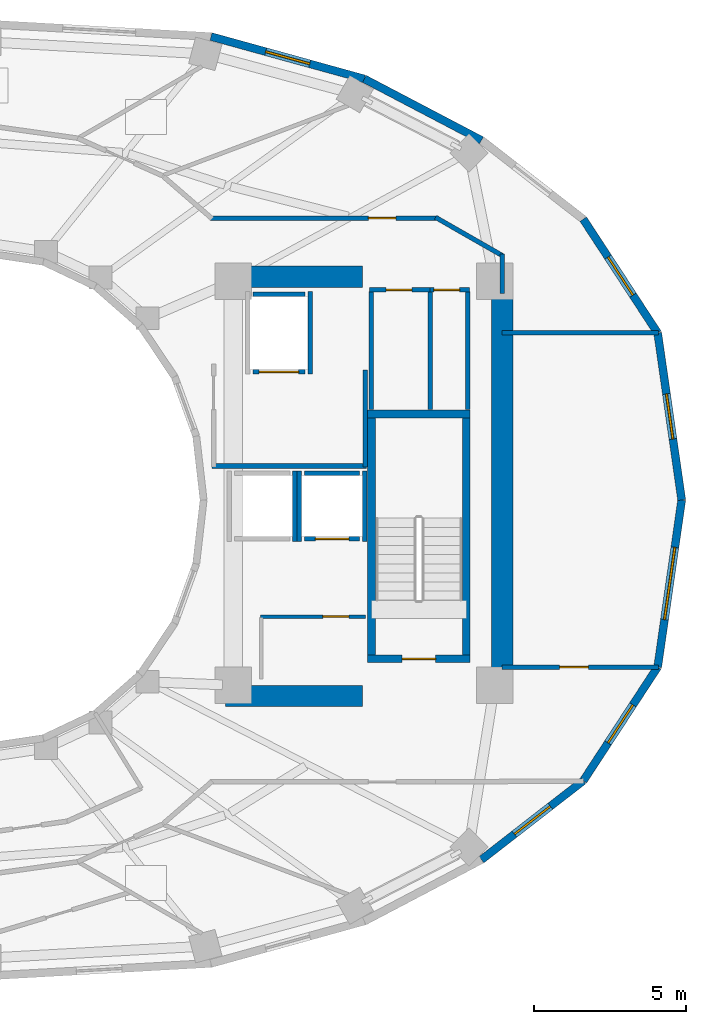
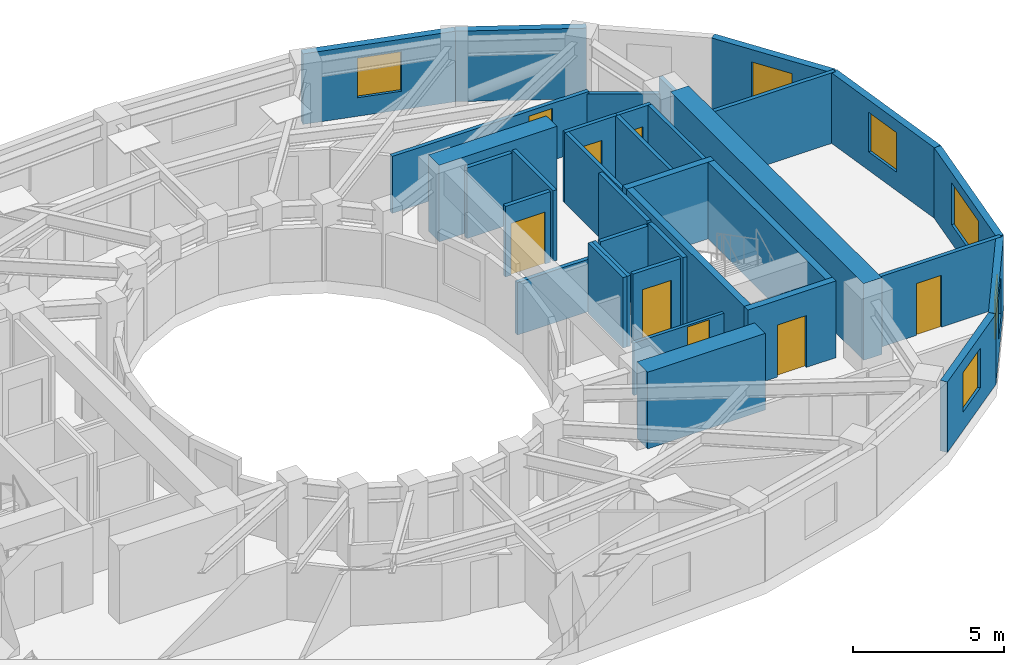
# One storey, part 6 of 9: 35 walls, 8 doors, 6 windows, 14 openings.
"""IFC4 building model written with IfcOpenShell, lengths in metres."""

from ifc_helpers import new_model, si_unit, direction, frame, frame_2d, origin, place, context, subcontext, project, spatial, rectangle, extrude, material, layer, layer_set, type_object, element, fill, save


model = new_model("IFC4")

# Units and contexts
model_context = context("Model", 3, precision=1e-05, world=origin(), true_north=direction((0.0, 1.0)))
body_context = subcontext(model_context, "Body", "Model", "MODEL_VIEW")
ifc_project = project(units=[si_unit("LENGTHUNIT", "METRE"), si_unit("AREAUNIT", "SQUARE_METRE"), si_unit("VOLUMEUNIT", "CUBIC_METRE"), si_unit("PLANEANGLEUNIT", "RADIAN"), si_unit("MASSUNIT", "GRAM", prefix="KILO")], contexts=[model_context])

# Site, building, storey
site_placement = place(None, origin())
site = spatial("IfcSite", under=ifc_project, at=site_placement, CompositionType="ELEMENT")
building_placement = place(site_placement, origin())
building = spatial("IfcBuilding", under=site, at=building_placement, Name="Solvane Sanctuary Tower", CompositionType="ELEMENT")
storey_placement = place(building_placement, frame((0.0, 0.0, 162.199951171875)))
storey = spatial("IfcBuildingStorey", under=building, at=storey_placement, Name="L49", CompositionType="ELEMENT", Elevation=162.199951171875)

# Walls
ifc_material_1 = material(Name="Concrete C60/75", Category="concrete")
ifc_layer_1 = layer(ifc_material_1, 0.699951171875, Name="Concrete C60/75")
ifc_layer_set_1 = layer_set([ifc_layer_1], Name="Concrete C60/75")
wall_type_1 = type_object("IfcWallType", Name="Wall W-CORE-700", PredefinedType="SHEAR", material=ifc_layer_set_1)
wall_1_placement = place(storey_placement, frame((48.949951171875, 17.050048828125, 0.0), z_axis=(0.0, 0.0, 1.0), x_axis=(0.0, 1.0, 0.0)))
element("IfcWall", 1, at=wall_1_placement, inside=storey, type_object=wall_type_1, Name="L49 Core Shear Wall EC-E", PredefinedType="SHEAR", context=body_context, shape_type="SweptSolid", body=[
    extrude(rectangle(XDim=12.800048828125, YDim=0.699951171875, at=frame_2d((6.39990234375, 0.0))), origin(), (0.0, 0.0, 1.0), 3.10009765625),
])
for number, where, z_axis, x_axis, name in (
    (2, (39.85009765625, 16.550048828125, 0.0), (0.0, 0.0, 1.0), (1.0, 0.0, 0.0), "L49 Core Shear Wall EC-S"),
    (3, (39.85009765625, 30.35009765625, 0.0), (0.0, 0.0, 1.0), (1.0, 0.0, 0.0), "L49 Core Shear Wall EC-N"),
):
    element("IfcWall", number, at=place(storey_placement, frame(where, z_axis=z_axis, x_axis=x_axis)), inside=storey, type_object=wall_type_1, Name=name, PredefinedType="SHEAR", context=body_context, shape_type="SweptSolid", body=[
        extrude(rectangle(XDim=4.5, YDim=0.699951171875, at=frame_2d((2.25, 0.0))), origin(), (0.0, 0.0, 1.0), 3.10009765625),
    ])
ifc_material_2 = material(Name="Acoustic Gypsum Partition Board")
ifc_layer_2 = layer(ifc_material_2, 0.14990234375, Name="Acoustic Gypsum Partition Board")
ifc_layer_set_2 = layer_set([ifc_layer_2], Name="Acoustic Gypsum Partition Board")
wall_type_2 = type_object("IfcWallType", Name="Wall W-CORR-150", PredefinedType="PARTITIONING", material=ifc_layer_set_2)
wall_2_placement = place(storey_placement, frame((39.39990234375, 24.1201171875, 0.0), z_axis=(0.0, 0.0, 1.0), x_axis=(1.0, 0.0, 0.0)))
element("IfcWall", 4, at=wall_2_placement, inside=storey, type_object=wall_type_2, Name="L49 East Firefighting Lobby South Wall", PredefinedType="PARTITIONING", context=body_context, shape_type="SweptSolid", body=[
    extrude(rectangle(XDim=5.080078125, YDim=0.14990234375, at=frame_2d((2.5400390625, 0.0))), origin(), (0.0, 0.0, 1.0), 2.1201171875),
])
wall_3_placement = place(storey_placement, frame((44.449951171875, 24.080078125, 0.0), z_axis=(0.0, 0.0, 1.0), x_axis=(0.0, 1.0, 0.0)))
element("IfcWall", 5, at=wall_3_placement, inside=storey, type_object=wall_type_2, Name="L49 East Firefighting Lobby East Wall", PredefinedType="PARTITIONING", context=body_context, shape_type="SweptSolid", body=[
    extrude(rectangle(XDim=3.199951171875, YDim=0.14990234375, at=frame_2d((1.60009765625, 0.0))), origin(), (0.0, 0.0, 1.0), 2.85498046875),
])

# Wall, opening, door
wall_4_placement = place(storey_placement, frame((48.949951171875, 17.4970703125, 0.0), z_axis=(0.0, 0.0, 1.0), x_axis=(1.0, 0.0, 0.0)))
wall_4 = element("IfcWall", 6, at=wall_4_placement, inside=storey, type_object=wall_type_2, Name="L49 East Shoulder South Wall", PredefinedType="PARTITIONING", context=body_context, shape_type="SweptSolid", body=[
    extrude(rectangle(XDim=5.14013671875, YDim=0.14990234375, at=frame_2d((2.570068359375, 0.0))), origin(), (0.0, 0.0, 1.0), 2.85498046875),
])
opening_1_placement = place(wall_4_placement, frame((1.888671875, 0.0, 0.0)))
opening_1 = element("IfcOpeningElement", 7, at=opening_1_placement, cuts=wall_4, Name="Opening D-L49-12", PredefinedType="OPENING", context=body_context, shape_type="SweptSolid", body=[
    extrude(rectangle(XDim=0.949951171875, YDim=2.10009765625, at=frame_2d((0.47509765625, 1.050048828125))), frame((0.0, 0.0849609375, 0.0), z_axis=(0.0, -1.0, 0.0), x_axis=(1.0, 0.0, 0.0)), (0.0, 0.0, 1.0), 0.169921875),
])
ifc_material_3 = material(Name="Engineered Tropical Hardwood", Category="wood")
door_type_1 = type_object("IfcDoorType", Name="Door D-ROOM-950", OperationType="NOTDEFINED", PredefinedType="DOOR", material=ifc_material_3)
door_1_placement = place(opening_1_placement, origin())
door_1 = element("IfcDoor", 8, at=door_1_placement, inside=storey, type_object=door_type_1, Name="L49 East Shoulder South Door", OperationType="SINGLE_SWING_LEFT", OverallHeight=2.10009765625, OverallWidth=0.949951171875, PredefinedType="DOOR", context=body_context, shape_type="SweptSolid", body=[
    extrude(rectangle(XDim=0.949951171875, YDim=2.10009765625, at=frame_2d((0.47509765625, 1.050048828125))), frame((0.0, 0.02490234375, 0.0), z_axis=(0.0, -1.0, 0.0), x_axis=(1.0, 0.0, 0.0)), (0.0, 0.0, 1.0), 0.050048828125),
])
fill(opening_1, door_1)

# Walls
wall_5_placement = place(storey_placement, frame((48.949951171875, 28.5029296875, 0.0), z_axis=(0.0, 0.0, 1.0), x_axis=(1.0, 0.0, 0.0)))
element("IfcWall", 9, at=wall_5_placement, inside=storey, type_object=wall_type_2, Name="L49 East Shoulder North Wall", PredefinedType="PARTITIONING", context=body_context, shape_type="SweptSolid", body=[
    extrude(rectangle(XDim=5.14013671875, YDim=0.14990234375, at=frame_2d((2.570068359375, 0.0))), origin(), (0.0, 0.0, 1.0), 2.85498046875),
])
wall_6_placement = place(storey_placement, frame((48.949951171875, 29.800048828125, 0.0), z_axis=(0.0, 0.0, 1.0), x_axis=(0.0, 1.0, 0.0)))
element("IfcWall", 10, at=wall_6_placement, inside=storey, type_object=wall_type_2, Name="L49 NE Corner Closer 1", PredefinedType="PARTITIONING", context=body_context, shape_type="SweptSolid", body=[
    extrude(rectangle(XDim=1.2900390625, YDim=0.14990234375, at=frame_2d((0.64501953125, 0.0))), origin(), (0.0, 0.0, 1.0), 2.85498046875),
])

# Wall, opening, door
wall_7_placement = place(storey_placement, frame((39.330078125, 32.280029296875, 0.0), z_axis=(0.0, 0.0, 1.0), x_axis=(1.0, 0.0, 0.0)))
wall_7 = element("IfcWall", 11, at=wall_7_placement, inside=storey, type_object=wall_type_2, Name="L49 NE Corner Corridor Wall", PredefinedType="PARTITIONING", context=body_context, shape_type="SweptSolid", body=[
    extrude(rectangle(XDim=7.52001953125, YDim=0.14990234375, at=frame_2d((3.760009765625, 0.0))), origin(), (0.0, 0.0, 1.0), 2.299072265625),
])
opening_2_placement = place(wall_7_placement, frame((5.219970703125, 0.0, 0.0)))
opening_2 = element("IfcOpeningElement", 12, at=opening_2_placement, cuts=wall_7, Name="Opening D-L49-13", PredefinedType="OPENING", context=body_context, shape_type="SweptSolid", body=[
    extrude(rectangle(XDim=0.89990234375, YDim=2.10009765625, at=frame_2d((0.449951171875, 1.050048828125))), frame((0.0, 0.0849609375, 0.0), z_axis=(0.0, -1.0, 0.0), x_axis=(1.0, 0.0, 0.0)), (0.0, 0.0, 1.0), 0.169921875),
])
door_type_2 = type_object("IfcDoorType", Name="Door D-WET-900", OperationType="NOTDEFINED", PredefinedType="DOOR", material=ifc_material_3)
door_2_placement = place(opening_2_placement, origin())
door_2 = element("IfcDoor", 13, at=door_2_placement, inside=storey, type_object=door_type_2, Name="L49 NE Corner Salon Door", OperationType="SINGLE_SWING_RIGHT", OverallHeight=2.10009765625, OverallWidth=0.89990234375, PredefinedType="DOOR", context=body_context, shape_type="SweptSolid", body=[
    extrude(rectangle(XDim=0.89990234375, YDim=2.10009765625, at=frame_2d((0.449951171875, 1.050048828125))), frame((0.0, 0.02490234375, 0.0), z_axis=(0.0, -1.0, 0.0), x_axis=(1.0, 0.0, 0.0)), (0.0, 0.0, 1.0), 0.050048828125),
])
fill(opening_2, door_2)

# Wall
wall_8_placement = place(storey_placement, frame((46.756591796875, 32.3046875, 0.0), z_axis=(0.0, 0.0, 1.0), x_axis=(0.867991349648, -0.496579315857, 0.0)))
element("IfcWall", 14, at=wall_8_placement, inside=storey, type_object=wall_type_2, Name="L49 NE Corner Wing Wall", PredefinedType="PARTITIONING", context=body_context, shape_type="SweptSolid", body=[
    extrude(rectangle(XDim=2.56689453125, YDim=0.14990234375, at=frame_2d((1.283447265625, 0.0))), origin(), (0.0, 0.0, 1.0), 2.219970703125),
])

# Wall, opening, window
ifc_material_4 = material(Name="Precast concrete C40/50", Category="concrete")
ifc_layer_3 = layer(ifc_material_4, 0.260009765625, Name="Precast concrete C40/50")
ifc_layer_set_3 = layer_set([ifc_layer_3], Name="Precast concrete C40/50")
wall_type_3 = type_object("IfcWallType", Name="Wall W-EXT-250", PredefinedType="STANDARD", material=ifc_layer_set_3)
wall_9_placement = place(storey_placement, frame((54.860107421875, 23.0, 0.0), z_axis=(0.0, 0.0, 1.0), x_axis=(-0.142227632286, 0.989833976288, 0.0)))
wall_9 = element("IfcWall", 15, at=wall_9_placement, inside=storey, type_object=wall_type_3, Name="L49 Ceramic-Printed Facade Wall 00", PredefinedType="STANDARD", context=body_context, shape_type="SweptSolid", body=[
    extrude(rectangle(XDim=5.552978515625, YDim=0.260009765625, at=frame_2d((2.7763671875, 0.0))), origin(), (0.0, 0.0, 1.0), 2.85009765625),
])
opening_3_placement = place(wall_9_placement, frame((2.026611328125, 0.0, 0.75)))
opening_3 = element("IfcOpeningElement", 16, at=opening_3_placement, cuts=wall_9, Name="Opening WN-OPER-1500", PredefinedType="OPENING", context=body_context, shape_type="SweptSolid", body=[
    extrude(rectangle(XDim=1.5, YDim=1.60009765625, at=frame_2d((0.75, 0.800048828125))), frame((0.0, 0.139892578125, 0.0), z_axis=(0.0, -1.0, 0.0), x_axis=(1.0, 0.0, 0.0)), (0.0, 0.0, 1.0), 0.280029296875),
])
ifc_material_5 = material(Name="Dark Ceramic-Fritted Low-E Glass", Category="glass")
window_type_1 = type_object("IfcWindowType", Name="Window WN-OPER-1500", PartitioningType="SINGLE_PANEL", PredefinedType="WINDOW", material=ifc_material_5)
window_1_placement = place(opening_3_placement, origin())
window_1 = element("IfcWindow", 17, at=window_1_placement, inside=storey, type_object=window_type_1, Name="L49 Operable Facade Window 00", OverallHeight=1.60009765625, OverallWidth=1.5, PartitioningType="SINGLE_PANEL", PredefinedType="WINDOW", context=body_context, shape_type="SweptSolid", body=[
    extrude(rectangle(XDim=1.5, YDim=1.60009765625, at=frame_2d((0.75, 0.800048828125))), frame((0.0, 0.030029296875, 0.0), z_axis=(0.0, -1.0, 0.0), x_axis=(1.0, 0.0, 0.0)), (0.0, 0.0, 1.0), 0.06005859375),
])
fill(opening_3, window_1)

wall_10_placement = place(storey_placement, frame((54.0703125, 28.49658203125, 0.0), z_axis=(0.0, 0.0, 1.0), x_axis=(-0.547456494366, 0.836834145322, 0.0)))
wall_10 = element("IfcWall", 18, at=wall_10_placement, inside=storey, type_object=wall_type_3, Name="L49 Ceramic-Printed Facade Wall 01", PredefinedType="STANDARD", context=body_context, shape_type="SweptSolid", body=[
    extrude(rectangle(XDim=4.477294921875, YDim=0.260009765625, at=frame_2d((2.23876953125, 0.0))), origin(), (0.0, 0.0, 1.0), 2.85009765625),
])
opening_4_placement = place(wall_10_placement, frame((1.48876953125, 0.0, 0.75)))
opening_4 = element("IfcOpeningElement", 19, at=opening_4_placement, cuts=wall_10, Name="Opening WN-OPER-1500", PredefinedType="OPENING", context=body_context, shape_type="SweptSolid", body=[
    extrude(rectangle(XDim=1.5, YDim=1.60009765625, at=frame_2d((0.75, 0.800048828125))), frame((0.0, 0.139892578125, 0.0), z_axis=(0.0, -1.0, 0.0), x_axis=(1.0, 0.0, 0.0)), (0.0, 0.0, 1.0), 0.280029296875),
])
window_2_placement = place(opening_4_placement, origin())
window_2 = element("IfcWindow", 20, at=window_2_placement, inside=storey, type_object=window_type_1, Name="L49 Operable Facade Window 01", OverallHeight=1.60009765625, OverallWidth=1.5, PartitioningType="SINGLE_PANEL", PredefinedType="WINDOW", context=body_context, shape_type="SweptSolid", body=[
    extrude(rectangle(XDim=1.5, YDim=1.60009765625, at=frame_2d((0.75, 0.800048828125))), frame((0.0, 0.030029296875, 0.0), z_axis=(0.0, -1.0, 0.0), x_axis=(1.0, 0.0, 0.0)), (0.0, 0.0, 1.0), 0.06005859375),
])
fill(opening_4, window_2)

# Wall
wall_11_placement = place(storey_placement, frame((48.269287109375, 34.841552734375, 0.0), z_axis=(0.0, 0.0, 1.0), x_axis=(-0.885660265226, 0.464333818065, 0.0)))
element("IfcWall", 21, at=wall_11_placement, inside=storey, type_object=wall_type_3, Name="L49 Ceramic-Printed Facade Wall 03", PredefinedType="STANDARD", context=body_context, shape_type="SweptSolid", body=[
    extrude(rectangle(XDim=4.35400390625, YDim=0.260009765625, at=frame_2d((2.177001953125, 0.0))), origin(), (0.0, 0.0, 1.0), 2.85009765625),
])

# Wall, opening, window
wall_12_placement = place(storey_placement, frame((44.4130859375, 36.86328125, 0.0), z_axis=(0.0, 0.0, 1.0), x_axis=(-0.963953455704, 0.26607092144, 0.0)))
wall_12 = element("IfcWall", 22, at=wall_12_placement, inside=storey, type_object=wall_type_3, Name="L49 Ceramic-Printed Facade Wall 04", PredefinedType="STANDARD", context=body_context, shape_type="SweptSolid", body=[
    extrude(rectangle(XDim=5.236572265625, YDim=0.260009765625, at=frame_2d((2.6181640625, 0.0))), origin(), (0.0, 0.0, 1.0), 2.85009765625),
])
opening_5_placement = place(wall_12_placement, frame((1.868408203125, 0.0, 0.75)))
opening_5 = element("IfcOpeningElement", 23, at=opening_5_placement, cuts=wall_12, Name="Opening WN-OPER-1500", PredefinedType="OPENING", context=body_context, shape_type="SweptSolid", body=[
    extrude(rectangle(XDim=1.5, YDim=1.60009765625, at=frame_2d((0.75, 0.800048828125))), frame((0.0, 0.139892578125, 0.0), z_axis=(0.0, -1.0, 0.0), x_axis=(1.0, 0.0, 0.0)), (0.0, 0.0, 1.0), 0.280029296875),
])
window_3_placement = place(opening_5_placement, origin())
window_3 = element("IfcWindow", 24, at=window_3_placement, inside=storey, type_object=window_type_1, Name="L49 Operable Facade Window 04", OverallHeight=1.60009765625, OverallWidth=1.5, PartitioningType="SINGLE_PANEL", PredefinedType="WINDOW", context=body_context, shape_type="SweptSolid", body=[
    extrude(rectangle(XDim=1.5, YDim=1.60009765625, at=frame_2d((0.75, 0.800048828125))), frame((0.0, 0.030029296875, 0.0), z_axis=(0.0, -1.0, 0.0), x_axis=(1.0, 0.0, 0.0)), (0.0, 0.0, 1.0), 0.06005859375),
])
fill(opening_5, window_3)

wall_13_placement = place(storey_placement, frame((48.269287109375, 11.158447265625, 0.0), z_axis=(0.0, 0.0, 1.0), x_axis=(0.790185650662, 0.612867552973, 0.0)))
wall_13 = element("IfcWall", 25, at=wall_13_placement, inside=storey, type_object=wall_type_3, Name="L49 Ceramic-Printed Facade Wall 21", PredefinedType="STANDARD", context=body_context, shape_type="SweptSolid", body=[
    extrude(rectangle(XDim=4.2392578125, YDim=0.260009765625, at=frame_2d((2.11962890625, 0.0))), origin(), (0.0, 0.0, 1.0), 2.85009765625),
])
opening_6_placement = place(wall_13_placement, frame((1.36962890625, 0.0, 0.75)))
opening_6 = element("IfcOpeningElement", 26, at=opening_6_placement, cuts=wall_13, Name="Opening WN-OPER-1500", PredefinedType="OPENING", context=body_context, shape_type="SweptSolid", body=[
    extrude(rectangle(XDim=1.5, YDim=1.60009765625, at=frame_2d((0.75, 0.800048828125))), frame((0.0, 0.139892578125, 0.0), z_axis=(0.0, -1.0, 0.0), x_axis=(1.0, 0.0, 0.0)), (0.0, 0.0, 1.0), 0.280029296875),
])
window_4_placement = place(opening_6_placement, origin())
window_4 = element("IfcWindow", 27, at=window_4_placement, inside=storey, type_object=window_type_1, Name="L49 Operable Facade Window 21", OverallHeight=1.60009765625, OverallWidth=1.5, PartitioningType="SINGLE_PANEL", PredefinedType="WINDOW", context=body_context, shape_type="SweptSolid", body=[
    extrude(rectangle(XDim=1.5, YDim=1.60009765625, at=frame_2d((0.75, 0.800048828125))), frame((0.0, 0.030029296875, 0.0), z_axis=(0.0, -1.0, 0.0), x_axis=(1.0, 0.0, 0.0)), (0.0, 0.0, 1.0), 0.06005859375),
])
fill(opening_6, window_4)

wall_14_placement = place(storey_placement, frame((51.619140625, 13.756591796875, 0.0), z_axis=(0.0, 0.0, 1.0), x_axis=(0.547456494366, 0.836834145322, 0.0)))
wall_14 = element("IfcWall", 28, at=wall_14_placement, inside=storey, type_object=wall_type_3, Name="L49 Ceramic-Printed Facade Wall 22", PredefinedType="STANDARD", context=body_context, shape_type="SweptSolid", body=[
    extrude(rectangle(XDim=4.477294921875, YDim=0.260009765625, at=frame_2d((2.23876953125, 0.0))), origin(), (0.0, 0.0, 1.0), 2.85009765625),
])
opening_7_placement = place(wall_14_placement, frame((1.48876953125, 0.0, 0.75)))
opening_7 = element("IfcOpeningElement", 29, at=opening_7_placement, cuts=wall_14, Name="Opening WN-OPER-1500", PredefinedType="OPENING", context=body_context, shape_type="SweptSolid", body=[
    extrude(rectangle(XDim=1.5, YDim=1.60009765625, at=frame_2d((0.75, 0.800048828125))), frame((0.0, 0.139892578125, 0.0), z_axis=(0.0, -1.0, 0.0), x_axis=(1.0, 0.0, 0.0)), (0.0, 0.0, 1.0), 0.280029296875),
])
window_5_placement = place(opening_7_placement, origin())
window_5 = element("IfcWindow", 30, at=window_5_placement, inside=storey, type_object=window_type_1, Name="L49 Operable Facade Window 22", OverallHeight=1.60009765625, OverallWidth=1.5, PartitioningType="SINGLE_PANEL", PredefinedType="WINDOW", context=body_context, shape_type="SweptSolid", body=[
    extrude(rectangle(XDim=1.5, YDim=1.60009765625, at=frame_2d((0.75, 0.800048828125))), frame((0.0, 0.030029296875, 0.0), z_axis=(0.0, -1.0, 0.0), x_axis=(1.0, 0.0, 0.0)), (0.0, 0.0, 1.0), 0.06005859375),
])
fill(opening_7, window_5)

wall_15_placement = place(storey_placement, frame((54.0703125, 17.50341796875, 0.0), z_axis=(0.0, 0.0, 1.0), x_axis=(0.142227632286, 0.989833976288, 0.0)))
wall_15 = element("IfcWall", 31, at=wall_15_placement, inside=storey, type_object=wall_type_3, Name="L49 Ceramic-Printed Facade Wall 23", PredefinedType="STANDARD", context=body_context, shape_type="SweptSolid", body=[
    extrude(rectangle(XDim=5.552978515625, YDim=0.260009765625, at=frame_2d((2.7763671875, 0.0))), origin(), (0.0, 0.0, 1.0), 2.85009765625),
])
opening_8_placement = place(wall_15_placement, frame((1.576416015625, 0.0, 0.75)))
opening_8 = element("IfcOpeningElement", 32, at=opening_8_placement, cuts=wall_15, Name="Opening WN-RIB-2400", PredefinedType="OPENING", context=body_context, shape_type="SweptSolid", body=[
    extrude(rectangle(XDim=2.39990234375, YDim=1.699951171875, at=frame_2d((1.199951171875, 0.85009765625))), frame((0.0, 0.139892578125, 0.0), z_axis=(0.0, -1.0, 0.0), x_axis=(1.0, 0.0, 0.0)), (0.0, 0.0, 1.0), 0.280029296875),
])
window_type_2 = type_object("IfcWindowType", Name="Window WN-RIB-2400", PartitioningType="SINGLE_PANEL", PredefinedType="WINDOW", material=ifc_material_5)
window_6_placement = place(opening_8_placement, origin())
window_6 = element("IfcWindow", 33, at=window_6_placement, inside=storey, type_object=window_type_2, Name="L49 Operable Facade Window 23", OverallHeight=1.699951171875, OverallWidth=2.39990234375, PartitioningType="SINGLE_PANEL", PredefinedType="WINDOW", context=body_context, shape_type="SweptSolid", body=[
    extrude(rectangle(XDim=2.39990234375, YDim=1.699951171875, at=frame_2d((1.199951171875, 0.85009765625))), frame((0.0, 0.030029296875, 0.0), z_axis=(0.0, -1.0, 0.0), x_axis=(1.0, 0.0, 0.0)), (0.0, 0.0, 1.0), 0.06005859375),
])
fill(opening_8, window_6)

# Wall, opening, door
ifc_layer_4 = layer(ifc_material_2, 0.125, Name="Acoustic Gypsum Partition Board")
ifc_layer_set_4 = layer_set([ifc_layer_4], Name="Acoustic Gypsum Partition Board")
wall_type_4 = type_object("IfcWallType", Name="Wall W-PART-125", PredefinedType="PARTITIONING", material=ifc_layer_set_4)
wall_16_placement = place(storey_placement, frame((41.0, 19.159912109375, 0.0), z_axis=(0.0, 0.0, 1.0), x_axis=(1.0, 0.0, 0.0)))
wall_16 = element("IfcWall", 34, at=wall_16_placement, inside=storey, type_object=wall_type_4, Name="L49 Reclaimed Room Partition PLE", PredefinedType="PARTITIONING", context=body_context, shape_type="SweptSolid", body=[
    extrude(rectangle(XDim=3.449951171875, YDim=0.125, at=frame_2d((1.72509765625, 0.0))), origin(), (0.0, 0.0, 1.0), 2.1201171875),
])
opening_9_placement = place(wall_16_placement, frame((2.050048828125, 0.0, 0.0)))
opening_9 = element("IfcOpeningElement", 35, at=opening_9_placement, cuts=wall_16, Name="Opening D-L49-07", PredefinedType="OPENING", context=body_context, shape_type="SweptSolid", body=[
    extrude(rectangle(XDim=0.85009765625, YDim=2.050048828125, at=frame_2d((0.425048828125, 1.02490234375))), frame((0.0, 0.072509765625, 0.0), z_axis=(0.0, -1.0, 0.0), x_axis=(1.0, 0.0, 0.0)), (0.0, 0.0, 1.0), 0.14501953125),
])
ifc_material_6 = material(Name="Architectural Stainless Steel 316", Category="steel")
door_type_3 = type_object("IfcDoorType", Name="Door D-RISER", OperationType="NOTDEFINED", PredefinedType="DOOR", material=ifc_material_6)
door_3_placement = place(opening_9_placement, origin())
door_3 = element("IfcDoor", 36, at=door_3_placement, inside=storey, type_object=door_type_3, Name="L49 Reclaimed Room Door PLE-1", OperationType="SINGLE_SWING_RIGHT", OverallHeight=2.050048828125, OverallWidth=0.85009765625, PredefinedType="DOOR", context=body_context, shape_type="SweptSolid", body=[
    extrude(rectangle(XDim=0.85009765625, YDim=2.050048828125, at=frame_2d((0.425048828125, 1.02490234375))), frame((0.0, 0.02490234375, 0.0), z_axis=(0.0, -1.0, 0.0), x_axis=(1.0, 0.0, 0.0)), (0.0, 0.0, 1.0), 0.050048828125),
])
fill(opening_9, door_3)

ifc_material_7 = material(Name="Concrete C50/60", Category="concrete")
ifc_layer_5 = layer(ifc_material_7, 0.14990234375, Name="Concrete C50/60")
ifc_layer_set_5 = layer_set([ifc_layer_5], Name="Concrete C50/60")
wall_type_5 = type_object("IfcWallType", Name="Wall W-SHAFT-150", PredefinedType="SOLIDWALL", material=ifc_layer_set_5)
wall_17_placement = place(storey_placement, frame((42.43994140625, 21.719970703125, 0.0), z_axis=(0.0, 0.0, 1.0), x_axis=(1.0, 0.0, 0.0)))
wall_17 = element("IfcWall", 37, at=wall_17_placement, inside=storey, type_object=wall_type_5, Name="L49 PM-2 Lift Shaft Wall F", PredefinedType="SOLIDWALL", context=body_context, shape_type="SweptSolid", body=[
    extrude(rectangle(XDim=1.820068359375, YDim=0.14990234375, at=frame_2d((0.91015625, 0.0))), origin(), (0.0, 0.0, 1.0), 2.85498046875),
])
opening_10_placement = place(wall_17_placement, frame((0.360107421875, 0.0, 0.0)))
opening_10 = element("IfcOpeningElement", 38, at=opening_10_placement, cuts=wall_17, Name="Opening LD-L49-02", PredefinedType="OPENING", context=body_context, shape_type="SweptSolid", body=[
    extrude(rectangle(XDim=1.10009765625, YDim=2.10009765625, at=frame_2d((0.550048828125, 1.050048828125))), frame((0.0, 0.0849609375, 0.0), z_axis=(0.0, -1.0, 0.0), x_axis=(1.0, 0.0, 0.0)), (0.0, 0.0, 1.0), 0.169921875),
])
door_type_4 = type_object("IfcDoorType", Name="Door LD-PASS-1100", OperationType="NOTDEFINED", PredefinedType="DOOR", material=ifc_material_6)
door_4_placement = place(opening_10_placement, origin())
door_4 = element("IfcDoor", 39, at=door_4_placement, inside=storey, type_object=door_type_4, Name="L49 PM-2 Lift Landing Door", OperationType="DOUBLE_DOOR_SLIDING", OverallHeight=2.10009765625, OverallWidth=1.10009765625, PredefinedType="DOOR", context=body_context, shape_type="SweptSolid", body=[
    extrude(rectangle(XDim=1.10009765625, YDim=2.10009765625, at=frame_2d((0.550048828125, 1.050048828125))), frame((0.0, 0.02490234375, 0.0), z_axis=(0.0, -1.0, 0.0), x_axis=(1.0, 0.0, 0.0)), (0.0, 0.0, 1.0), 0.050048828125),
])
fill(opening_10, door_4)

# Walls
wall_18_placement = place(storey_placement, frame((42.43994140625, 23.8798828125, 0.0), z_axis=(0.0, 0.0, 1.0), x_axis=(1.0, 0.0, 0.0)))
element("IfcWall", 40, at=wall_18_placement, inside=storey, type_object=wall_type_5, Name="L49 PM-2 Lift Shaft Wall B", PredefinedType="SOLIDWALL", context=body_context, shape_type="SweptSolid", body=[
    extrude(rectangle(XDim=1.820068359375, YDim=0.14990234375, at=frame_2d((0.91015625, 0.0))), origin(), (0.0, 0.0, 1.0), 2.85498046875),
])
for number, where, z_axis, x_axis, name in (
    (41, (42.27001953125, 21.639892578125, 0.0), (0.0, 0.0, 1.0), (0.0, 1.0, 0.0), "L49 PM-2 Lift Shaft Wall S1"),
    (42, (44.429931640625, 21.639892578125, 0.0), (0.0, 0.0, 1.0), (0.0, 1.0, 0.0), "L49 PM-2 Lift Shaft Wall S2"),
    (43, (42.1298828125, 21.639892578125, 0.0), (0.0, 0.0, 1.0), (0.0, 1.0, 0.0), "L49 PH-2 Lift Shaft Wall S2"),
):
    element("IfcWall", number, at=place(storey_placement, frame(where, z_axis=z_axis, x_axis=x_axis)), inside=storey, type_object=wall_type_5, Name=name, PredefinedType="SOLIDWALL", context=body_context, shape_type="SweptSolid", body=[
        extrude(rectangle(XDim=2.320068359375, YDim=0.14990234375, at=frame_2d((1.16015625, 0.0))), origin(), (0.0, 0.0, 1.0), 2.85498046875),
    ])

# Wall, opening, door
wall_19_placement = place(storey_placement, frame((40.739990234375, 27.219970703125, 0.0), z_axis=(0.0, 0.0, 1.0), x_axis=(1.0, 0.0, 0.0)))
wall_19 = element("IfcWall", 44, at=wall_19_placement, inside=storey, type_object=wall_type_5, Name="L49 FFL-2 Lift Shaft Wall F", PredefinedType="SOLIDWALL", context=body_context, shape_type="SweptSolid", body=[
    extrude(rectangle(XDim=1.719970703125, YDim=0.14990234375, at=frame_2d((0.85986328125, 0.0))), origin(), (0.0, 0.0, 1.0), 2.85498046875),
])
opening_11_placement = place(wall_19_placement, frame((0.2099609375, 0.0, 0.0)))
opening_11 = element("IfcOpeningElement", 45, at=opening_11_placement, cuts=wall_19, Name="Opening LD-L49-05", PredefinedType="OPENING", context=body_context, shape_type="SweptSolid", body=[
    extrude(rectangle(XDim=1.300048828125, YDim=2.10009765625, at=frame_2d((0.64990234375, 1.050048828125))), frame((0.0, 0.0849609375, 0.0), z_axis=(0.0, -1.0, 0.0), x_axis=(1.0, 0.0, 0.0)), (0.0, 0.0, 1.0), 0.169921875),
])
door_type_5 = type_object("IfcDoorType", Name="Door LD-FFL-1300", OperationType="NOTDEFINED", PredefinedType="DOOR", material=ifc_material_6)
door_5_placement = place(opening_11_placement, origin())
door_5 = element("IfcDoor", 46, at=door_5_placement, inside=storey, type_object=door_type_5, Name="L49 FFL-2 Lift Landing Door", OperationType="DOUBLE_DOOR_SLIDING", OverallHeight=2.10009765625, OverallWidth=1.300048828125, PredefinedType="DOOR", context=body_context, shape_type="SweptSolid", body=[
    extrude(rectangle(XDim=1.300048828125, YDim=2.10009765625, at=frame_2d((0.64990234375, 1.050048828125))), frame((0.0, 0.02490234375, 0.0), z_axis=(0.0, -1.0, 0.0), x_axis=(1.0, 0.0, 0.0)), (0.0, 0.0, 1.0), 0.050048828125),
])
fill(opening_11, door_5)

# Walls
wall_20_placement = place(storey_placement, frame((40.739990234375, 29.780029296875, 0.0), z_axis=(0.0, 0.0, 1.0), x_axis=(1.0, 0.0, 0.0)))
element("IfcWall", 47, at=wall_20_placement, inside=storey, type_object=wall_type_5, Name="L49 FFL-2 Lift Shaft Wall B", PredefinedType="SOLIDWALL", context=body_context, shape_type="SweptSolid", body=[
    extrude(rectangle(XDim=1.719970703125, YDim=0.14990234375, at=frame_2d((0.85986328125, 0.0))), origin(), (0.0, 0.0, 1.0), 2.85498046875),
])
wall_21_placement = place(storey_placement, frame((42.6298828125, 27.139892578125, 0.0), z_axis=(0.0, 0.0, 1.0), x_axis=(0.0, 1.0, 0.0)))
element("IfcWall", 48, at=wall_21_placement, inside=storey, type_object=wall_type_5, Name="L49 FFL-2 Lift Shaft Wall S2", PredefinedType="SOLIDWALL", context=body_context, shape_type="SweptSolid", body=[
    extrude(rectangle(XDim=2.72021484375, YDim=0.14990234375, at=frame_2d((1.360107421875, 0.0))), origin(), (0.0, 0.0, 1.0), 2.85498046875),
])

# Wall, opening, door
ifc_layer_6 = layer(ifc_material_7, 0.25, Name="Concrete C50/60")
ifc_layer_set_6 = layer_set([ifc_layer_6], Name="Concrete C50/60")
wall_type_6 = type_object("IfcWallType", Name="Wall W-SHAFT-250", PredefinedType="SOLIDWALL", material=ifc_layer_set_6)
wall_22_placement = place(storey_placement, frame((44.52490234375, 17.77001953125, 0.0), z_axis=(0.0, 0.0, 1.0), x_axis=(1.0, 0.0, 0.0)))
wall_22 = element("IfcWall", 49, at=wall_22_placement, inside=storey, type_object=wall_type_6, Name="L49 ST-2 Load-Bearing Shaft Wall S", PredefinedType="SOLIDWALL", context=body_context, shape_type="SweptSolid", body=[
    extrude(rectangle(XDim=3.3701171875, YDim=0.25, at=frame_2d((1.68505859375, 0.0))), origin(), (0.0, 0.0, 1.0), 3.10009765625),
])
opening_12_placement = place(wall_22_placement, frame((1.135009765625, 0.0, 0.0)))
opening_12 = element("IfcOpeningElement", 50, at=opening_12_placement, cuts=wall_22, Name="Opening D-L49-02", PredefinedType="OPENING", context=body_context, shape_type="SweptSolid", body=[
    extrude(rectangle(XDim=1.10009765625, YDim=2.10009765625, at=frame_2d((0.550048828125, 1.050048828125))), frame((0.0, 0.135009765625, 0.0), z_axis=(0.0, -1.0, 0.0), x_axis=(1.0, 0.0, 0.0)), (0.0, 0.0, 1.0), 0.27001953125),
])
door_type_6 = type_object("IfcDoorType", Name="Door D-STAIR", OperationType="NOTDEFINED", PredefinedType="DOOR", material=ifc_material_6)
door_6_placement = place(opening_12_placement, origin())
door_6 = element("IfcDoor", 51, at=door_6_placement, inside=storey, type_object=door_type_6, Name="L49 ST-2 Exit Stair Fire Door", OperationType="SINGLE_SWING_RIGHT", OverallHeight=2.10009765625, OverallWidth=1.10009765625, PredefinedType="DOOR", context=body_context, shape_type="SweptSolid", body=[
    extrude(rectangle(XDim=1.10009765625, YDim=2.10009765625, at=frame_2d((0.550048828125, 1.050048828125))), frame((0.0, 0.02490234375, 0.0), z_axis=(0.0, -1.0, 0.0), x_axis=(1.0, 0.0, 0.0)), (0.0, 0.0, 1.0), 0.050048828125),
])
fill(opening_12, door_6)

# Walls
wall_23_placement = place(storey_placement, frame((44.52490234375, 25.830078125, 0.0), z_axis=(0.0, 0.0, 1.0), x_axis=(1.0, 0.0, 0.0)))
element("IfcWall", 52, at=wall_23_placement, inside=storey, type_object=wall_type_6, Name="L49 ST-2 Load-Bearing Shaft Wall N", PredefinedType="SOLIDWALL", context=body_context, shape_type="SweptSolid", body=[
    extrude(rectangle(XDim=3.3701171875, YDim=0.25, at=frame_2d((1.68505859375, 0.0))), origin(), (0.0, 0.0, 1.0), 3.10009765625),
])
for number, where, z_axis, x_axis, name in (
    (53, (44.64990234375, 17.89501953125, 0.0), (0.0, 0.0, 1.0), (0.0, 1.0, 0.0), "L49 ST-2 Load-Bearing Shaft Wall W"),
    (54, (47.77001953125, 17.89501953125, 0.0), (0.0, 0.0, 1.0), (0.0, 1.0, 0.0), "L49 ST-2 Load-Bearing Shaft Wall E"),
):
    element("IfcWall", number, at=place(storey_placement, frame(where, z_axis=z_axis, x_axis=x_axis)), inside=storey, type_object=wall_type_6, Name=name, PredefinedType="SOLIDWALL", context=body_context, shape_type="SweptSolid", body=[
        extrude(rectangle(XDim=7.81005859375, YDim=0.25, at=frame_2d((3.905029296875, 0.0))), origin(), (0.0, 0.0, 1.0), 3.10009765625),
    ])

# Wall, opening, door
ifc_layer_7 = layer(ifc_material_2, 0.139892578125, Name="Acoustic Gypsum Partition Board")
ifc_layer_set_7 = layer_set([ifc_layer_7], Name="Acoustic Gypsum Partition Board")
wall_type_7 = type_object("IfcWallType", Name="Wall W-WET-140", PredefinedType="PLUMBINGWALL", material=ifc_layer_set_7)
wall_24_placement = place(storey_placement, frame((44.580078125, 29.919921875, 0.0), z_axis=(0.0, 0.0, 1.0), x_axis=(1.0, 0.0, 0.0)))
wall_24 = element("IfcWall", 55, at=wall_24_placement, inside=storey, type_object=wall_type_7, Name="L49 Core Service Front Wall KE1", PredefinedType="PLUMBINGWALL", context=body_context, shape_type="SweptSolid", body=[
    extrude(rectangle(XDim=2.0, YDim=0.139892578125, at=frame_2d((1.0, 0.0))), origin(), (0.0, 0.0, 1.0), 2.85498046875),
])
opening_13_placement = place(wall_24_placement, frame((0.550048828125, 0.0, 0.0)))
opening_13 = element("IfcOpeningElement", 56, at=opening_13_placement, cuts=wall_24, Name="Opening D-L49-10", PredefinedType="OPENING", context=body_context, shape_type="SweptSolid", body=[
    extrude(rectangle(XDim=0.85009765625, YDim=2.050048828125, at=frame_2d((0.425048828125, 1.02490234375))), frame((0.0, 0.079833984375, 0.0), z_axis=(0.0, -1.0, 0.0), x_axis=(1.0, 0.0, 0.0)), (0.0, 0.0, 1.0), 0.159912109375),
])
door_7_placement = place(opening_13_placement, origin())
door_7 = element("IfcDoor", 57, at=door_7_placement, inside=storey, type_object=door_type_3, Name="L49 Core Service Room Door KE1-1", OperationType="SINGLE_SWING_LEFT", OverallHeight=2.050048828125, OverallWidth=0.85009765625, PredefinedType="DOOR", context=body_context, shape_type="SweptSolid", body=[
    extrude(rectangle(XDim=0.85009765625, YDim=2.050048828125, at=frame_2d((0.425048828125, 1.02490234375))), frame((0.0, 0.02490234375, 0.0), z_axis=(0.0, -1.0, 0.0), x_axis=(1.0, 0.0, 0.0)), (0.0, 0.0, 1.0), 0.050048828125),
])
fill(opening_13, door_7)

# Walls
for number, where, z_axis, x_axis, name in (
    (58, (44.639892578125, 25.97998046875, 0.0), (0.0, 0.0, 1.0), (0.0, 1.0, 0.0), "L49 Core Service Side Wall KE1-1"),
    (59, (46.580078125, 25.97998046875, 0.0), (0.0, 0.0, 1.0), (0.0, 1.0, 0.0), "L49 Core Service Side Wall KE1-2"),
):
    element("IfcWall", number, at=place(storey_placement, frame(where, z_axis=z_axis, x_axis=x_axis)), inside=storey, type_object=wall_type_7, Name=name, PredefinedType="PLUMBINGWALL", context=body_context, shape_type="SweptSolid", body=[
        extrude(rectangle(XDim=3.880126953125, YDim=0.139892578125, at=frame_2d((1.93994140625, 0.0))), origin(), (0.0, 0.0, 1.0), 2.85498046875),
    ])

# Wall, opening, door
wall_25_placement = place(storey_placement, frame((46.580078125, 29.919921875, 0.0), z_axis=(0.0, 0.0, 1.0), x_axis=(1.0, 0.0, 0.0)))
wall_25 = element("IfcWall", 60, at=wall_25_placement, inside=storey, type_object=wall_type_7, Name="L49 Core Service Front Wall KE2", PredefinedType="PLUMBINGWALL", context=body_context, shape_type="SweptSolid", body=[
    extrude(rectangle(XDim=1.2998046875, YDim=0.139892578125, at=frame_2d((0.64990234375, 0.0))), origin(), (0.0, 0.0, 1.0), 2.85498046875),
])
opening_14_placement = place(wall_25_placement, frame((0.1201171875, 0.0, 0.0)))
opening_14 = element("IfcOpeningElement", 61, at=opening_14_placement, cuts=wall_25, Name="Opening D-L49-11", PredefinedType="OPENING", context=body_context, shape_type="SweptSolid", body=[
    extrude(rectangle(XDim=0.85009765625, YDim=2.050048828125, at=frame_2d((0.425048828125, 1.02490234375))), frame((0.0, 0.079833984375, 0.0), z_axis=(0.0, -1.0, 0.0), x_axis=(1.0, 0.0, 0.0)), (0.0, 0.0, 1.0), 0.159912109375),
])
door_8_placement = place(opening_14_placement, origin())
door_8 = element("IfcDoor", 62, at=door_8_placement, inside=storey, type_object=door_type_3, Name="L49 Core Service Room Door KE2-1", OperationType="SINGLE_SWING_RIGHT", OverallHeight=2.050048828125, OverallWidth=0.85009765625, PredefinedType="DOOR", context=body_context, shape_type="SweptSolid", body=[
    extrude(rectangle(XDim=0.85009765625, YDim=2.050048828125, at=frame_2d((0.425048828125, 1.02490234375))), frame((0.0, 0.02490234375, 0.0), z_axis=(0.0, -1.0, 0.0), x_axis=(1.0, 0.0, 0.0)), (0.0, 0.0, 1.0), 0.050048828125),
])
fill(opening_14, door_8)

# Wall
wall_26_placement = place(storey_placement, frame((47.820068359375, 25.97998046875, 0.0), z_axis=(0.0, 0.0, 1.0), x_axis=(0.0, 1.0, 0.0)))
element("IfcWall", 63, at=wall_26_placement, inside=storey, type_object=wall_type_7, Name="L49 Core Service Side Wall KE2-1", PredefinedType="PLUMBINGWALL", context=body_context, shape_type="SweptSolid", body=[
    extrude(rectangle(XDim=3.880126953125, YDim=0.139892578125, at=frame_2d((1.93994140625, 0.0))), origin(), (0.0, 0.0, 1.0), 2.85498046875),
])

save(model, "model.ifc")
